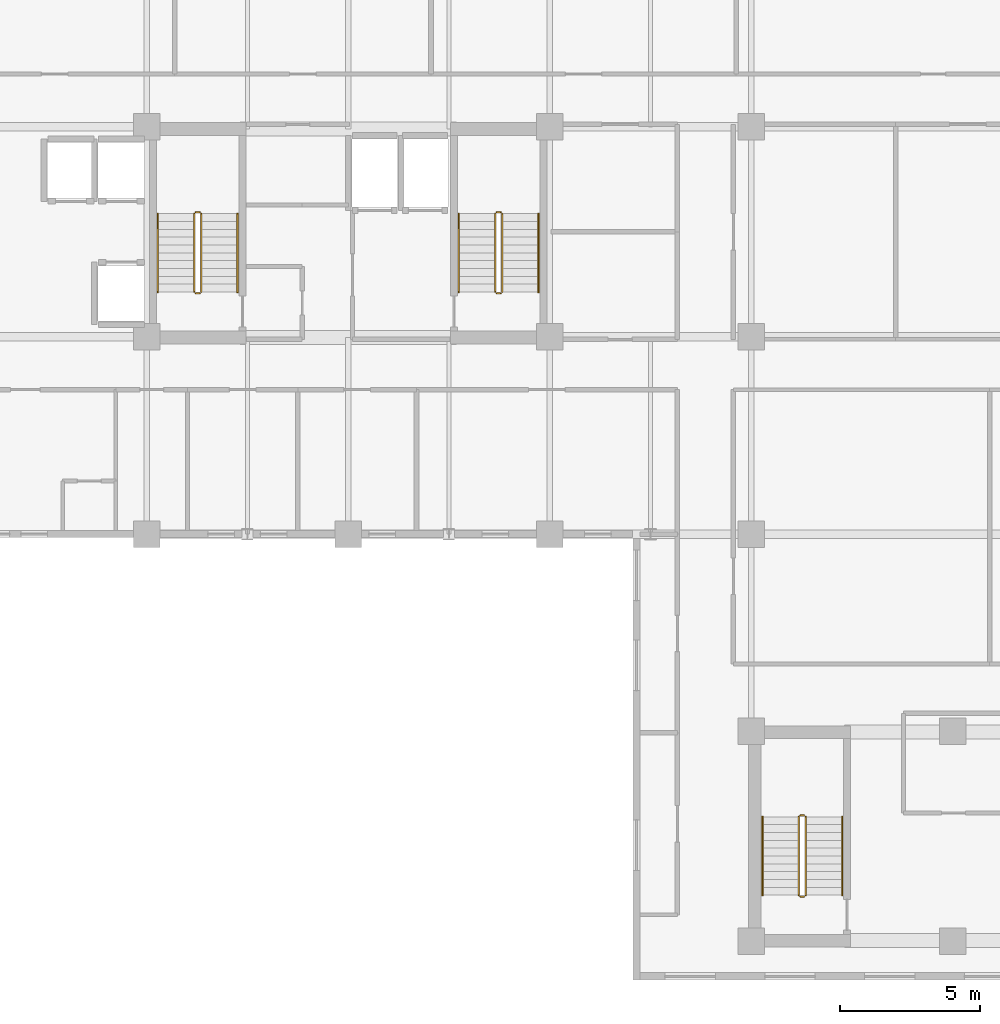
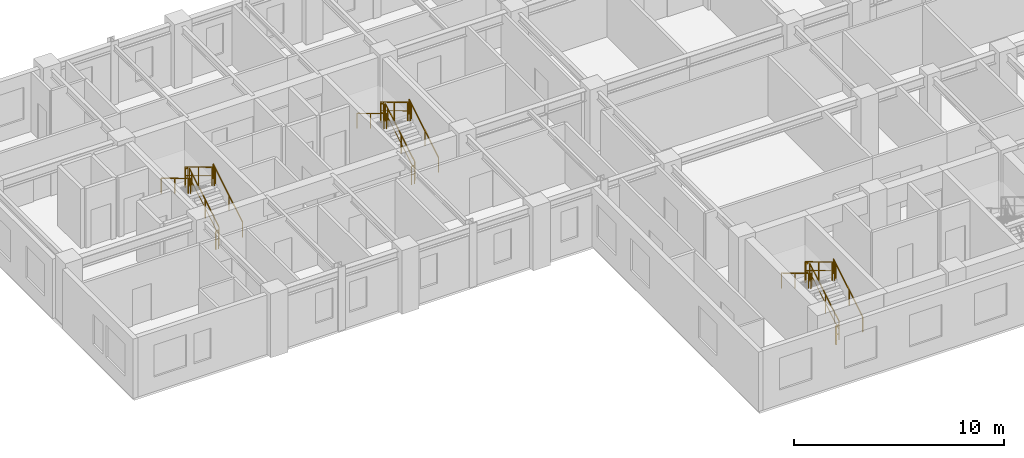
# One storey, part 11 of 13: 18 railings.
"""IFC4 building model written with IfcOpenShell, lengths in metres."""

from ifc_helpers import new_model, si_unit, direction, frame, origin, origin_2d, place, context, subcontext, project, spatial, rectangle, extrude, material, type_object, element, save


model = new_model("IFC4")

# Units and contexts
model_context = context("Model", 3, precision=1e-05, world=origin(), true_north=direction((0.0, 1.0)))
body_context = subcontext(model_context, "Body", "Model", "MODEL_VIEW")
ifc_project = project(units=[si_unit("LENGTHUNIT", "METRE"), si_unit("AREAUNIT", "SQUARE_METRE"), si_unit("VOLUMEUNIT", "CUBIC_METRE"), si_unit("PLANEANGLEUNIT", "RADIAN"), si_unit("MASSUNIT", "GRAM", prefix="KILO")], contexts=[model_context])

# Site, building, storey
site_placement = place(None, origin())
site = spatial("IfcSite", under=ifc_project, at=site_placement, CompositionType="ELEMENT")
building_placement = place(site_placement, origin())
building = spatial("IfcBuilding", under=site, at=building_placement, Name="Kaliganga Portal Commons", CompositionType="ELEMENT")
storey_placement = place(building_placement, frame((0.0, 0.0, 209.199951171875)))
storey = spatial("IfcBuildingStorey", under=building, at=storey_placement, Name="L53", CompositionType="ELEMENT", Elevation=209.199951171875)

# Railings
ifc_material_1 = material(Name="Galvanized Painted Steel Balustrade", Category="steel")
railing_type_1 = type_object("IfcRailingType", Name="RLG-STAIR-GRD", PredefinedType="GUARDRAIL", material=ifc_material_1)
railing_1_placement = place(storey_placement, frame((16.35009765625, 30.25, 0.168212890625)))
element("IfcRailing", 1, at=railing_1_placement, inside=storey, type_object=railing_type_1, Name="L53 ST-A1 stair guard 1", PredefinedType="GUARDRAIL", context=body_context, shape_type="SweptSolid", body=[
    extrude(rectangle(XDim=0.048095703125, YDim=0.048095703125, at=origin_2d()), frame((0.0, 0.0, 1.072021484375), z_axis=(0.0, 0.857242210791, 0.514913383045), x_axis=(-1.0, 0.0, 0.0)), (0.0, 0.0, 1.0), 3.266357421875),
    extrude(rectangle(XDim=0.028076171875, YDim=0.028076171875, at=origin_2d()), frame((0.0, 0.0, 0.572021484375), z_axis=(0.0, 0.857242210791, 0.514913383045), x_axis=(-1.0, 0.0, 0.0)), (0.0, 0.0, 1.0), 3.266357421875),
    extrude(rectangle(XDim=0.0419921875, YDim=0.0419921875, at=origin_2d()), origin(), (0.0, 0.0, 1.0), 1.052001953125),
    extrude(rectangle(XDim=0.0419921875, YDim=0.0419921875, at=origin_2d()), frame((0.0, 1.285888671875, 0.7724609375)), (0.0, 0.0, 1.0), 1.052001953125),
    extrude(rectangle(XDim=0.0419921875, YDim=0.0419921875, at=origin_2d()), frame((0.0, 2.57177734375, 1.544677734375)), (0.0, 0.0, 1.0), 1.052001953125),
    extrude(rectangle(XDim=0.0419921875, YDim=0.0419921875, at=origin_2d()), frame((0.0, 2.800048828125, 1.681884765625)), (0.0, 0.0, 1.0), 1.052001953125),
])
railing_2_placement = place(storey_placement, frame((16.300048828125, 33.10009765625, 1.85009765625)))
element("IfcRailing", 2, at=railing_2_placement, inside=storey, type_object=railing_type_1, Name="L53 ST-A1 stair guard 2", PredefinedType="GUARDRAIL", context=body_context, shape_type="SweptSolid", body=[
    extrude(rectangle(XDim=0.048095703125, YDim=0.048095703125, at=origin_2d()), frame((0.0, 0.0, 1.076171875), z_axis=(-1.0, 0.0, 0.0), x_axis=(0.0, -1.0, 0.0)), (0.0, 0.0, 1.0), 0.150146484375),
    extrude(rectangle(XDim=0.028076171875, YDim=0.028076171875, at=origin_2d()), frame((0.0, 0.0, 0.572021484375), z_axis=(-1.0, 0.0, 0.0), x_axis=(0.0, -1.0, 0.0)), (0.0, 0.0, 1.0), 0.150146484375),
    extrude(rectangle(XDim=0.0419921875, YDim=0.0419921875, at=origin_2d()), origin(), (0.0, 0.0, 1.0), 1.052001953125),
    extrude(rectangle(XDim=0.0419921875, YDim=0.0419921875, at=origin_2d()), frame((-0.150146484375, 0.0, 0.0)), (0.0, 0.0, 1.0), 1.052001953125),
])
railing_3_placement = place(storey_placement, frame((16.10009765625, 33.050048828125, 2.018310546875)))
element("IfcRailing", 3, at=railing_3_placement, inside=storey, type_object=railing_type_1, Name="L53 ST-A1 stair guard 3", PredefinedType="GUARDRAIL", context=body_context, shape_type="SweptSolid", body=[
    extrude(rectangle(XDim=0.048095703125, YDim=0.048095703125, at=origin_2d()), frame((0.0, 0.0, 1.072021484375), z_axis=(0.0, -0.857275202839, 0.514858452973), x_axis=(1.0, 0.0, 0.0)), (0.0, 0.0, 1.0), 3.26611328125),
    extrude(rectangle(XDim=0.028076171875, YDim=0.028076171875, at=origin_2d()), frame((0.0, 0.0, 0.572021484375), z_axis=(0.0, -0.857275202839, 0.514858452973), x_axis=(1.0, 0.0, 0.0)), (0.0, 0.0, 1.0), 3.26611328125),
    extrude(rectangle(XDim=0.0419921875, YDim=0.0419921875, at=origin_2d()), origin(), (0.0, 0.0, 1.0), 1.052001953125),
    extrude(rectangle(XDim=0.0419921875, YDim=0.0419921875, at=origin_2d()), frame((0.0, -1.285888671875, 0.772216796875)), (0.0, 0.0, 1.0), 1.052001953125),
    extrude(rectangle(XDim=0.0419921875, YDim=0.0419921875, at=origin_2d()), frame((0.0, -2.57177734375, 1.544677734375)), (0.0, 0.0, 1.0), 1.052001953125),
    extrude(rectangle(XDim=0.0419921875, YDim=0.0419921875, at=origin_2d()), frame((0.0, -2.800048828125, 1.681640625)), (0.0, 0.0, 1.0), 1.052001953125),
])
railing_4_placement = place(storey_placement, frame((16.300048828125, 30.199951171875, 0.0)))
element("IfcRailing", 4, at=railing_4_placement, inside=storey, type_object=railing_type_1, Name="L53 ST-A1 stair guard 4", PredefinedType="GUARDRAIL", context=body_context, shape_type="SweptSolid", body=[
    extrude(rectangle(XDim=0.048095703125, YDim=0.048095703125, at=origin_2d()), frame((0.0, 0.0, 1.076171875), z_axis=(-1.0, 0.0, 0.0), x_axis=(0.0, -1.0, 0.0)), (0.0, 0.0, 1.0), 0.150146484375),
    extrude(rectangle(XDim=0.028076171875, YDim=0.028076171875, at=origin_2d()), frame((0.0, 0.0, 0.572021484375), z_axis=(-1.0, 0.0, 0.0), x_axis=(0.0, -1.0, 0.0)), (0.0, 0.0, 1.0), 0.150146484375),
    extrude(rectangle(XDim=0.0419921875, YDim=0.0419921875, at=origin_2d()), origin(), (0.0, 0.0, 1.0), 1.052001953125),
    extrude(rectangle(XDim=0.0419921875, YDim=0.0419921875, at=origin_2d()), frame((-0.150146484375, 0.0, 0.0)), (0.0, 0.0, 1.0), 1.052001953125),
])
railing_5_placement = place(storey_placement, frame((27.10009765625, 30.25, 0.168212890625)))
element("IfcRailing", 5, at=railing_5_placement, inside=storey, type_object=railing_type_1, Name="L53 ST-A2 stair guard 1", PredefinedType="GUARDRAIL", context=body_context, shape_type="SweptSolid", body=[
    extrude(rectangle(XDim=0.048095703125, YDim=0.048095703125, at=origin_2d()), frame((0.0, 0.0, 1.072021484375), z_axis=(0.0, 0.857242210791, 0.514913383045), x_axis=(-1.0, 0.0, 0.0)), (0.0, 0.0, 1.0), 3.266357421875),
    extrude(rectangle(XDim=0.028076171875, YDim=0.028076171875, at=origin_2d()), frame((0.0, 0.0, 0.572021484375), z_axis=(0.0, 0.857242210791, 0.514913383045), x_axis=(-1.0, 0.0, 0.0)), (0.0, 0.0, 1.0), 3.266357421875),
    extrude(rectangle(XDim=0.0419921875, YDim=0.0419921875, at=origin_2d()), origin(), (0.0, 0.0, 1.0), 1.052001953125),
    extrude(rectangle(XDim=0.0419921875, YDim=0.0419921875, at=origin_2d()), frame((0.0, 1.285888671875, 0.7724609375)), (0.0, 0.0, 1.0), 1.052001953125),
    extrude(rectangle(XDim=0.0419921875, YDim=0.0419921875, at=origin_2d()), frame((0.0, 2.57177734375, 1.544677734375)), (0.0, 0.0, 1.0), 1.052001953125),
    extrude(rectangle(XDim=0.0419921875, YDim=0.0419921875, at=origin_2d()), frame((0.0, 2.800048828125, 1.681884765625)), (0.0, 0.0, 1.0), 1.052001953125),
])
railing_6_placement = place(storey_placement, frame((27.050048828125, 33.10009765625, 1.85009765625)))
element("IfcRailing", 6, at=railing_6_placement, inside=storey, type_object=railing_type_1, Name="L53 ST-A2 stair guard 2", PredefinedType="GUARDRAIL", context=body_context, shape_type="SweptSolid", body=[
    extrude(rectangle(XDim=0.048095703125, YDim=0.048095703125, at=origin_2d()), frame((0.0, 0.0, 1.076171875), z_axis=(-1.0, 0.0, 0.0), x_axis=(0.0, -1.0, 0.0)), (0.0, 0.0, 1.0), 0.150146484375),
    extrude(rectangle(XDim=0.028076171875, YDim=0.028076171875, at=origin_2d()), frame((0.0, 0.0, 0.572021484375), z_axis=(-1.0, 0.0, 0.0), x_axis=(0.0, -1.0, 0.0)), (0.0, 0.0, 1.0), 0.150146484375),
    extrude(rectangle(XDim=0.0419921875, YDim=0.0419921875, at=origin_2d()), origin(), (0.0, 0.0, 1.0), 1.052001953125),
    extrude(rectangle(XDim=0.0419921875, YDim=0.0419921875, at=origin_2d()), frame((-0.150146484375, 0.0, 0.0)), (0.0, 0.0, 1.0), 1.052001953125),
])
railing_7_placement = place(storey_placement, frame((26.85009765625, 33.050048828125, 2.018310546875)))
element("IfcRailing", 7, at=railing_7_placement, inside=storey, type_object=railing_type_1, Name="L53 ST-A2 stair guard 3", PredefinedType="GUARDRAIL", context=body_context, shape_type="SweptSolid", body=[
    extrude(rectangle(XDim=0.048095703125, YDim=0.048095703125, at=origin_2d()), frame((0.0, 0.0, 1.072021484375), z_axis=(0.0, -0.857275202839, 0.514858452973), x_axis=(1.0, 0.0, 0.0)), (0.0, 0.0, 1.0), 3.26611328125),
    extrude(rectangle(XDim=0.028076171875, YDim=0.028076171875, at=origin_2d()), frame((0.0, 0.0, 0.572021484375), z_axis=(0.0, -0.857275202839, 0.514858452973), x_axis=(1.0, 0.0, 0.0)), (0.0, 0.0, 1.0), 3.26611328125),
    extrude(rectangle(XDim=0.0419921875, YDim=0.0419921875, at=origin_2d()), origin(), (0.0, 0.0, 1.0), 1.052001953125),
    extrude(rectangle(XDim=0.0419921875, YDim=0.0419921875, at=origin_2d()), frame((0.0, -1.285888671875, 0.772216796875)), (0.0, 0.0, 1.0), 1.052001953125),
    extrude(rectangle(XDim=0.0419921875, YDim=0.0419921875, at=origin_2d()), frame((0.0, -2.57177734375, 1.544677734375)), (0.0, 0.0, 1.0), 1.052001953125),
    extrude(rectangle(XDim=0.0419921875, YDim=0.0419921875, at=origin_2d()), frame((0.0, -2.800048828125, 1.681640625)), (0.0, 0.0, 1.0), 1.052001953125),
])
railing_8_placement = place(storey_placement, frame((27.050048828125, 30.199951171875, 0.0)))
element("IfcRailing", 8, at=railing_8_placement, inside=storey, type_object=railing_type_1, Name="L53 ST-A2 stair guard 4", PredefinedType="GUARDRAIL", context=body_context, shape_type="SweptSolid", body=[
    extrude(rectangle(XDim=0.048095703125, YDim=0.048095703125, at=origin_2d()), frame((0.0, 0.0, 1.076171875), z_axis=(-1.0, 0.0, 0.0), x_axis=(0.0, -1.0, 0.0)), (0.0, 0.0, 1.0), 0.150146484375),
    extrude(rectangle(XDim=0.028076171875, YDim=0.028076171875, at=origin_2d()), frame((0.0, 0.0, 0.572021484375), z_axis=(-1.0, 0.0, 0.0), x_axis=(0.0, -1.0, 0.0)), (0.0, 0.0, 1.0), 0.150146484375),
    extrude(rectangle(XDim=0.0419921875, YDim=0.0419921875, at=origin_2d()), origin(), (0.0, 0.0, 1.0), 1.052001953125),
    extrude(rectangle(XDim=0.0419921875, YDim=0.0419921875, at=origin_2d()), frame((-0.150146484375, 0.0, 0.0)), (0.0, 0.0, 1.0), 1.052001953125),
])
railing_9_placement = place(storey_placement, frame((37.949951171875, 8.699951171875, 0.168212890625)))
element("IfcRailing", 9, at=railing_9_placement, inside=storey, type_object=railing_type_1, Name="L53 ST-B1 stair guard 1", PredefinedType="GUARDRAIL", context=body_context, shape_type="SweptSolid", body=[
    extrude(rectangle(XDim=0.048095703125, YDim=0.048095703125, at=origin_2d()), frame((0.0, 0.0, 1.072021484375), z_axis=(0.0, 0.857242210791, 0.514913383045), x_axis=(-1.0, 0.0, 0.0)), (0.0, 0.0, 1.0), 3.266357421875),
    extrude(rectangle(XDim=0.028076171875, YDim=0.028076171875, at=origin_2d()), frame((0.0, 0.0, 0.572021484375), z_axis=(0.0, 0.857242210791, 0.514913383045), x_axis=(-1.0, 0.0, 0.0)), (0.0, 0.0, 1.0), 3.266357421875),
    extrude(rectangle(XDim=0.0419921875, YDim=0.0419921875, at=origin_2d()), origin(), (0.0, 0.0, 1.0), 1.052001953125),
    extrude(rectangle(XDim=0.0419921875, YDim=0.0419921875, at=origin_2d()), frame((0.0, 1.285888671875, 0.7724609375)), (0.0, 0.0, 1.0), 1.052001953125),
    extrude(rectangle(XDim=0.0419921875, YDim=0.0419921875, at=origin_2d()), frame((0.0, 2.57177734375, 1.544677734375)), (0.0, 0.0, 1.0), 1.052001953125),
    extrude(rectangle(XDim=0.0419921875, YDim=0.0419921875, at=origin_2d()), frame((0.0, 2.800048828125, 1.681884765625)), (0.0, 0.0, 1.0), 1.052001953125),
])
railing_10_placement = place(storey_placement, frame((37.89990234375, 11.550048828125, 1.85009765625)))
element("IfcRailing", 10, at=railing_10_placement, inside=storey, type_object=railing_type_1, Name="L53 ST-B1 stair guard 2", PredefinedType="GUARDRAIL", context=body_context, shape_type="SweptSolid", body=[
    extrude(rectangle(XDim=0.048095703125, YDim=0.048095703125, at=origin_2d()), frame((0.0, 0.0, 1.076171875), z_axis=(-1.0, 0.0, 0.0), x_axis=(0.0, -1.0, 0.0)), (0.0, 0.0, 1.0), 0.14990234375),
    extrude(rectangle(XDim=0.028076171875, YDim=0.028076171875, at=origin_2d()), frame((0.0, 0.0, 0.572021484375), z_axis=(-1.0, 0.0, 0.0), x_axis=(0.0, -1.0, 0.0)), (0.0, 0.0, 1.0), 0.14990234375),
    extrude(rectangle(XDim=0.0419921875, YDim=0.0419921875, at=origin_2d()), frame((-0.14990234375, 0.0, 0.0)), (0.0, 0.0, 1.0), 1.052001953125),
])
railing_11_placement = place(storey_placement, frame((37.699951171875, 11.5, 2.018310546875)))
element("IfcRailing", 11, at=railing_11_placement, inside=storey, type_object=railing_type_1, Name="L53 ST-B1 stair guard 3", PredefinedType="GUARDRAIL", context=body_context, shape_type="SweptSolid", body=[
    extrude(rectangle(XDim=0.048095703125, YDim=0.048095703125, at=origin_2d()), frame((0.0, 0.0, 1.072021484375), z_axis=(0.0, -0.857275202839, 0.514858452973), x_axis=(1.0, 0.0, 0.0)), (0.0, 0.0, 1.0), 3.26611328125),
    extrude(rectangle(XDim=0.028076171875, YDim=0.028076171875, at=origin_2d()), frame((0.0, 0.0, 0.572021484375), z_axis=(0.0, -0.857275202839, 0.514858452973), x_axis=(1.0, 0.0, 0.0)), (0.0, 0.0, 1.0), 3.26611328125),
    extrude(rectangle(XDim=0.0419921875, YDim=0.0419921875, at=origin_2d()), origin(), (0.0, 0.0, 1.0), 1.052001953125),
    extrude(rectangle(XDim=0.0419921875, YDim=0.0419921875, at=origin_2d()), frame((0.0, -1.285888671875, 0.772216796875)), (0.0, 0.0, 1.0), 1.052001953125),
    extrude(rectangle(XDim=0.0419921875, YDim=0.0419921875, at=origin_2d()), frame((0.0, -2.57177734375, 1.544677734375)), (0.0, 0.0, 1.0), 1.052001953125),
    extrude(rectangle(XDim=0.0419921875, YDim=0.0419921875, at=origin_2d()), frame((0.0, -2.800048828125, 1.681640625)), (0.0, 0.0, 1.0), 1.052001953125),
])
railing_12_placement = place(storey_placement, frame((37.89990234375, 8.64990234375, 0.0)))
element("IfcRailing", 12, at=railing_12_placement, inside=storey, type_object=railing_type_1, Name="L53 ST-B1 stair guard 4", PredefinedType="GUARDRAIL", context=body_context, shape_type="SweptSolid", body=[
    extrude(rectangle(XDim=0.048095703125, YDim=0.048095703125, at=origin_2d()), frame((0.0, 0.0, 1.076171875), z_axis=(-1.0, 0.0, 0.0), x_axis=(0.0, -1.0, 0.0)), (0.0, 0.0, 1.0), 0.14990234375),
    extrude(rectangle(XDim=0.028076171875, YDim=0.028076171875, at=origin_2d()), frame((0.0, 0.0, 0.572021484375), z_axis=(-1.0, 0.0, 0.0), x_axis=(0.0, -1.0, 0.0)), (0.0, 0.0, 1.0), 0.14990234375),
    extrude(rectangle(XDim=0.0419921875, YDim=0.0419921875, at=origin_2d()), frame((-0.14990234375, 0.0, 0.0)), (0.0, 0.0, 1.0), 1.052001953125),
])
ifc_material_2 = material(Name="Brushed Stainless Steel 316", Category="steel")
railing_type_2 = type_object("IfcRailingType", Name="RLG-STAIR-HR", PredefinedType="HANDRAIL", material=ifc_material_2)
railing_13_placement = place(storey_placement, frame((17.64990234375, 30.25, 0.168212890625)))
element("IfcRailing", 13, at=railing_13_placement, inside=storey, type_object=railing_type_2, Name="L53 ST-A1 stair handrail 1", PredefinedType="HANDRAIL", context=body_context, shape_type="SweptSolid", body=[
    extrude(rectangle(XDim=0.048095703125, YDim=0.048095703125, at=origin_2d()), frame((0.0, 0.0, 0.871826171875), z_axis=(0.0, 0.857242210791, 0.514913383045), x_axis=(-1.0, 0.0, 0.0)), (0.0, 0.0, 1.0), 3.266357421875),
    extrude(rectangle(XDim=0.0419921875, YDim=0.0419921875, at=origin_2d()), origin(), (0.0, 0.0, 1.0), 0.851806640625),
    extrude(rectangle(XDim=0.0419921875, YDim=0.0419921875, at=origin_2d()), frame((0.0, 1.285888671875, 0.7724609375)), (0.0, 0.0, 1.0), 0.851806640625),
    extrude(rectangle(XDim=0.0419921875, YDim=0.0419921875, at=origin_2d()), frame((0.0, 2.57177734375, 1.544677734375)), (0.0, 0.0, 1.0), 0.851806640625),
    extrude(rectangle(XDim=0.0419921875, YDim=0.0419921875, at=origin_2d()), frame((0.0, 2.800048828125, 1.681884765625)), (0.0, 0.0, 1.0), 0.851806640625),
])
railing_14_placement = place(storey_placement, frame((14.800048828125, 33.050048828125, 2.018310546875)))
element("IfcRailing", 14, at=railing_14_placement, inside=storey, type_object=railing_type_2, Name="L53 ST-A1 stair handrail 2", PredefinedType="HANDRAIL", context=body_context, shape_type="SweptSolid", body=[
    extrude(rectangle(XDim=0.048095703125, YDim=0.048095703125, at=origin_2d()), frame((0.0, 0.0, 0.871826171875), z_axis=(0.0, -0.857275202839, 0.514858452973), x_axis=(1.0, 0.0, 0.0)), (0.0, 0.0, 1.0), 3.26611328125),
    extrude(rectangle(XDim=0.0419921875, YDim=0.0419921875, at=origin_2d()), origin(), (0.0, 0.0, 1.0), 0.851806640625),
    extrude(rectangle(XDim=0.0419921875, YDim=0.0419921875, at=origin_2d()), frame((0.0, -1.285888671875, 0.772216796875)), (0.0, 0.0, 1.0), 0.851806640625),
    extrude(rectangle(XDim=0.0419921875, YDim=0.0419921875, at=origin_2d()), frame((0.0, -2.57177734375, 1.544677734375)), (0.0, 0.0, 1.0), 0.851806640625),
    extrude(rectangle(XDim=0.0419921875, YDim=0.0419921875, at=origin_2d()), frame((0.0, -2.800048828125, 1.681640625)), (0.0, 0.0, 1.0), 0.851806640625),
])
railing_15_placement = place(storey_placement, frame((28.39990234375, 30.25, 0.168212890625)))
element("IfcRailing", 15, at=railing_15_placement, inside=storey, type_object=railing_type_2, Name="L53 ST-A2 stair handrail 1", PredefinedType="HANDRAIL", context=body_context, shape_type="SweptSolid", body=[
    extrude(rectangle(XDim=0.048095703125, YDim=0.048095703125, at=origin_2d()), frame((0.0, 0.0, 0.871826171875), z_axis=(0.0, 0.857242210791, 0.514913383045), x_axis=(-1.0, 0.0, 0.0)), (0.0, 0.0, 1.0), 3.266357421875),
    extrude(rectangle(XDim=0.0419921875, YDim=0.0419921875, at=origin_2d()), origin(), (0.0, 0.0, 1.0), 0.851806640625),
    extrude(rectangle(XDim=0.0419921875, YDim=0.0419921875, at=origin_2d()), frame((0.0, 1.285888671875, 0.7724609375)), (0.0, 0.0, 1.0), 0.851806640625),
    extrude(rectangle(XDim=0.0419921875, YDim=0.0419921875, at=origin_2d()), frame((0.0, 2.57177734375, 1.544677734375)), (0.0, 0.0, 1.0), 0.851806640625),
    extrude(rectangle(XDim=0.0419921875, YDim=0.0419921875, at=origin_2d()), frame((0.0, 2.800048828125, 1.681884765625)), (0.0, 0.0, 1.0), 0.851806640625),
])
railing_16_placement = place(storey_placement, frame((25.550048828125, 33.050048828125, 2.018310546875)))
element("IfcRailing", 16, at=railing_16_placement, inside=storey, type_object=railing_type_2, Name="L53 ST-A2 stair handrail 2", PredefinedType="HANDRAIL", context=body_context, shape_type="SweptSolid", body=[
    extrude(rectangle(XDim=0.048095703125, YDim=0.048095703125, at=origin_2d()), frame((0.0, 0.0, 0.871826171875), z_axis=(0.0, -0.857275202839, 0.514858452973), x_axis=(1.0, 0.0, 0.0)), (0.0, 0.0, 1.0), 3.26611328125),
    extrude(rectangle(XDim=0.0419921875, YDim=0.0419921875, at=origin_2d()), origin(), (0.0, 0.0, 1.0), 0.851806640625),
    extrude(rectangle(XDim=0.0419921875, YDim=0.0419921875, at=origin_2d()), frame((0.0, -1.285888671875, 0.772216796875)), (0.0, 0.0, 1.0), 0.851806640625),
    extrude(rectangle(XDim=0.0419921875, YDim=0.0419921875, at=origin_2d()), frame((0.0, -2.57177734375, 1.544677734375)), (0.0, 0.0, 1.0), 0.851806640625),
    extrude(rectangle(XDim=0.0419921875, YDim=0.0419921875, at=origin_2d()), frame((0.0, -2.800048828125, 1.681640625)), (0.0, 0.0, 1.0), 0.851806640625),
])
railing_17_placement = place(storey_placement, frame((39.25, 8.699951171875, 0.168212890625)))
element("IfcRailing", 17, at=railing_17_placement, inside=storey, type_object=railing_type_2, Name="L53 ST-B1 stair handrail 1", PredefinedType="HANDRAIL", context=body_context, shape_type="SweptSolid", body=[
    extrude(rectangle(XDim=0.048095703125, YDim=0.048095703125, at=origin_2d()), frame((0.0, 0.0, 0.871826171875), z_axis=(0.0, 0.857242210791, 0.514913383045), x_axis=(-1.0, 0.0, 0.0)), (0.0, 0.0, 1.0), 3.266357421875),
    extrude(rectangle(XDim=0.0419921875, YDim=0.0419921875, at=origin_2d()), origin(), (0.0, 0.0, 1.0), 0.851806640625),
    extrude(rectangle(XDim=0.0419921875, YDim=0.0419921875, at=origin_2d()), frame((0.0, 1.285888671875, 0.7724609375)), (0.0, 0.0, 1.0), 0.851806640625),
    extrude(rectangle(XDim=0.0419921875, YDim=0.0419921875, at=origin_2d()), frame((0.0, 2.57177734375, 1.544677734375)), (0.0, 0.0, 1.0), 0.851806640625),
    extrude(rectangle(XDim=0.0419921875, YDim=0.0419921875, at=origin_2d()), frame((0.0, 2.800048828125, 1.681884765625)), (0.0, 0.0, 1.0), 0.851806640625),
])
railing_18_placement = place(storey_placement, frame((36.39990234375, 11.5, 2.018310546875)))
element("IfcRailing", 18, at=railing_18_placement, inside=storey, type_object=railing_type_2, Name="L53 ST-B1 stair handrail 2", PredefinedType="HANDRAIL", context=body_context, shape_type="SweptSolid", body=[
    extrude(rectangle(XDim=0.048095703125, YDim=0.048095703125, at=origin_2d()), frame((0.0, 0.0, 0.871826171875), z_axis=(0.0, -0.857275202839, 0.514858452973), x_axis=(1.0, 0.0, 0.0)), (0.0, 0.0, 1.0), 3.26611328125),
    extrude(rectangle(XDim=0.0419921875, YDim=0.0419921875, at=origin_2d()), origin(), (0.0, 0.0, 1.0), 0.851806640625),
    extrude(rectangle(XDim=0.0419921875, YDim=0.0419921875, at=origin_2d()), frame((0.0, -1.285888671875, 0.772216796875)), (0.0, 0.0, 1.0), 0.851806640625),
    extrude(rectangle(XDim=0.0419921875, YDim=0.0419921875, at=origin_2d()), frame((0.0, -2.57177734375, 1.544677734375)), (0.0, 0.0, 1.0), 0.851806640625),
    extrude(rectangle(XDim=0.0419921875, YDim=0.0419921875, at=origin_2d()), frame((0.0, -2.800048828125, 1.681640625)), (0.0, 0.0, 1.0), 0.851806640625),
])

save(model, "model.ifc")
